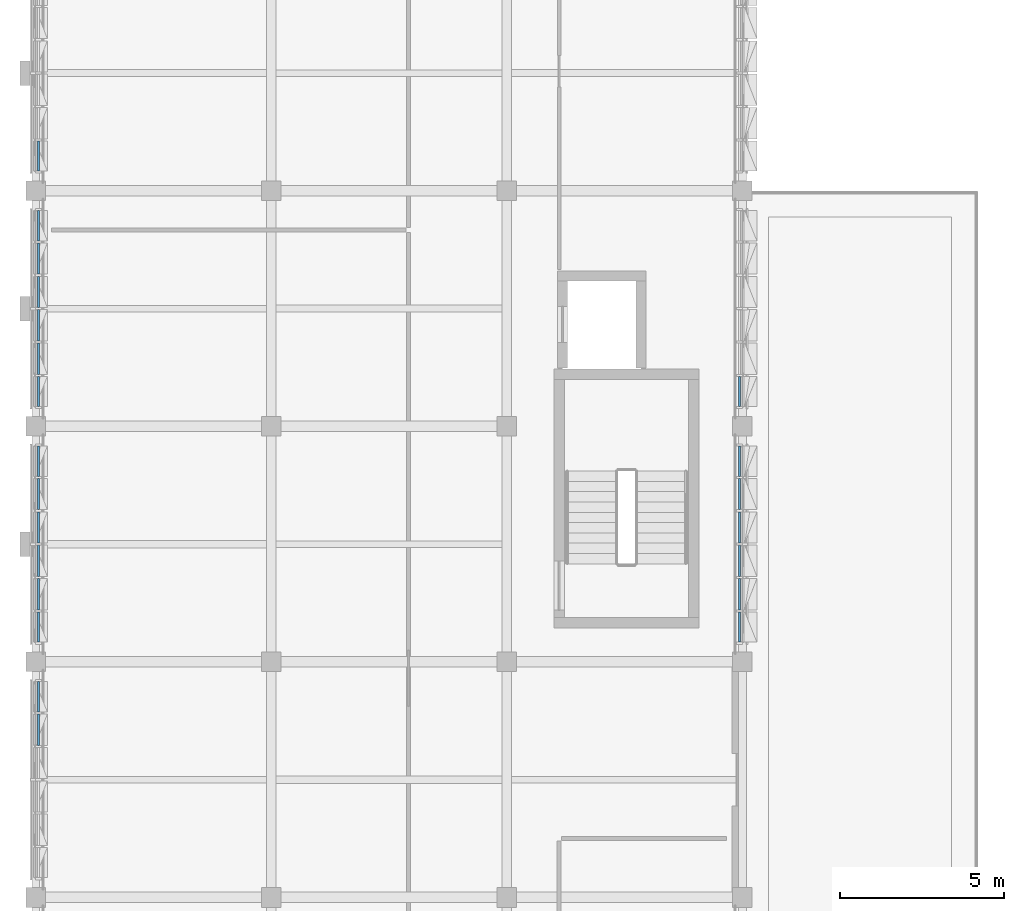
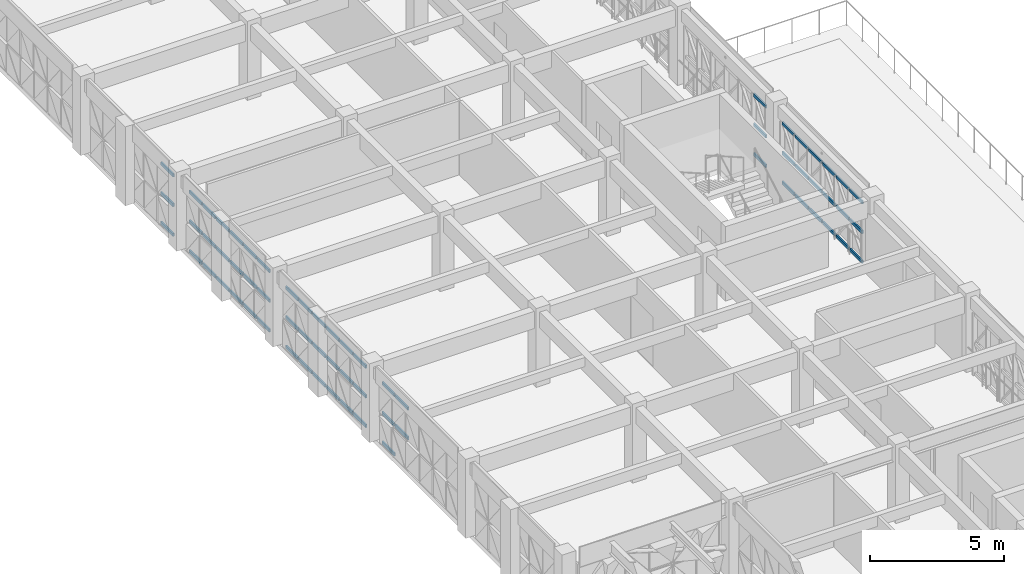
# One storey, part 28 of 99: 65 members, 6 elements without a shape of their own.
"""IFC4 building model written with IfcOpenShell, lengths in metres."""

from ifc_helpers import new_model, si_unit, direction, frame, origin, origin_2d, place, context, subcontext, project, spatial, rectangle, extrude, material, material_profile, profile_set, type_object, element, aggregate, save


model = new_model("IFC4")

# Units and contexts
model_context = context("Model", 3, precision=1e-05, world=origin(), true_north=direction((0.0, 1.0)))
body_context = subcontext(model_context, "Body", "Model", "MODEL_VIEW")
ifc_project = project(units=[si_unit("LENGTHUNIT", "METRE"), si_unit("AREAUNIT", "SQUARE_METRE"), si_unit("VOLUMEUNIT", "CUBIC_METRE"), si_unit("PLANEANGLEUNIT", "RADIAN"), si_unit("MASSUNIT", "GRAM", prefix="KILO")], contexts=[model_context])

# Site, building, storey
site_placement = place(None, origin())
site = spatial("IfcSite", under=ifc_project, at=site_placement, CompositionType="ELEMENT")
building_placement = place(site_placement, origin())
building = spatial("IfcBuilding", under=site, at=building_placement, Name="Alvorim Cloister Faculty of Sciences", CompositionType="ELEMENT")
storey_placement = place(building_placement, frame((0.0, 0.0, 12.14990234375)))
storey = spatial("IfcBuildingStorey", under=building, at=storey_placement, Name="L03", CompositionType="ELEMENT", Elevation=12.14990234375)

# Curtain wall, members
ifc_material_1 = material(Name="Aluminium and Low-E Glass Curtain Wall", Category="aluminium")
curtain_wall_type = type_object("IfcCurtainWallType", Name="CW-TRI-6120x2850", PredefinedType="USERDEFINED", material=ifc_material_1)
curtain_wall_1_placement = place(storey_placement, origin())
curtain_wall_1 = element("IfcCurtainWall", 1, at=curtain_wall_1_placement, inside=storey, type_object=curtain_wall_type, Name="L03 Diagonal Cassette Curtain Wall CW-0107", ObjectType="UNITISED CURTAIN WALL", PredefinedType="USERDEFINED")
ifc_material_2 = material(Name="Aluminium Alloy 6063-T6", Category="aluminium")
ifc_material_profile = material_profile(ifc_material_2, rectangle(XDim=0.06494140625, YDim=0.139892578125, at=origin_2d()), Name="ALU-TRN-65x140")
ifc_profile_set = profile_set([ifc_material_profile], Name="Aluminium Alloy 6063-T6")
member_type = type_object("IfcMemberType", Name="CW-TRN-65x140", PredefinedType="USERDEFINED", material=ifc_profile_set)
member_1_placement = place(storey_placement, frame((0.090087890625, 68.25244140625, 1.425048828125), z_axis=(0.0, 1.0, 0.0), x_axis=(-1.0, 0.0, 0.0)))
member_1 = element("IfcMember", 2, at=member_1_placement, type_object=member_type, Name="CW-0107 Transom 5.2", ObjectType="TRANSOM", PredefinedType="USERDEFINED", context=body_context, shape_type="SweptSolid", body=[
    extrude(rectangle(XDim=0.06494140625, YDim=0.139892578125, at=origin_2d()), origin(), (0.0, 0.0, 1.0), 0.955078125),
])
member_2_placement = place(storey_placement, frame((0.090087890625, 68.25244140625, 2.780029296875), z_axis=(0.0, 1.0, 0.0), x_axis=(-1.0, 0.0, 0.0)))
member_2 = element("IfcMember", 3, at=member_2_placement, type_object=member_type, Name="CW-0107 Transom 5.3", ObjectType="TRANSOM", PredefinedType="USERDEFINED", context=body_context, shape_type="SweptSolid", body=[
    extrude(rectangle(XDim=0.06494140625, YDim=0.139892578125, at=origin_2d()), origin(), (0.0, 0.0, 1.0), 0.955078125),
])
member_3_placement = place(storey_placement, frame((0.090087890625, 69.2724609375, 0.070068359375), z_axis=(0.0, 1.0, 0.0), x_axis=(-1.0, 0.0, 0.0)))
member_3 = element("IfcMember", 4, at=member_3_placement, type_object=member_type, Name="CW-0107 Transom 6.1", ObjectType="TRANSOM", PredefinedType="USERDEFINED", context=body_context, shape_type="SweptSolid", body=[
    extrude(rectangle(XDim=0.06494140625, YDim=0.139892578125, at=origin_2d()), origin(), (0.0, 0.0, 1.0), 0.922607421875),
])
member_4_placement = place(storey_placement, frame((0.090087890625, 69.2724609375, 1.425048828125), z_axis=(0.0, 1.0, 0.0), x_axis=(-1.0, 0.0, 0.0)))
member_4 = element("IfcMember", 5, at=member_4_placement, type_object=member_type, Name="CW-0107 Transom 6.2", ObjectType="TRANSOM", PredefinedType="USERDEFINED", context=body_context, shape_type="SweptSolid", body=[
    extrude(rectangle(XDim=0.06494140625, YDim=0.139892578125, at=origin_2d()), origin(), (0.0, 0.0, 1.0), 0.922607421875),
])
member_5_placement = place(storey_placement, frame((0.090087890625, 69.2724609375, 2.780029296875), z_axis=(0.0, 1.0, 0.0), x_axis=(-1.0, 0.0, 0.0)))
member_5 = element("IfcMember", 6, at=member_5_placement, type_object=member_type, Name="CW-0107 Transom 6.3", ObjectType="TRANSOM", PredefinedType="USERDEFINED", context=body_context, shape_type="SweptSolid", body=[
    extrude(rectangle(XDim=0.06494140625, YDim=0.139892578125, at=origin_2d()), origin(), (0.0, 0.0, 1.0), 0.922607421875),
])
aggregate(curtain_wall_1, [member_1, member_2, member_3, member_4, member_5])

curtain_wall_2_placement = place(storey_placement, origin())
curtain_wall_2 = element("IfcCurtainWall", 7, at=curtain_wall_2_placement, inside=storey, type_object=curtain_wall_type, Name="L03 Diagonal Cassette Curtain Wall CW-0108", ObjectType="UNITISED CURTAIN WALL", PredefinedType="USERDEFINED")
member_6_placement = place(storey_placement, frame((0.090087890625, 71.405029296875, 0.070068359375), z_axis=(0.0, 1.0, 0.0), x_axis=(-1.0, 0.0, 0.0)))
member_6 = element("IfcMember", 8, at=member_6_placement, type_object=member_type, Name="CW-0108 Transom 1.1", ObjectType="TRANSOM", PredefinedType="USERDEFINED", context=body_context, shape_type="SweptSolid", body=[
    extrude(rectangle(XDim=0.06494140625, YDim=0.139892578125, at=origin_2d()), origin(), (0.0, 0.0, 1.0), 0.92236328125),
])
member_7_placement = place(storey_placement, frame((0.090087890625, 71.405029296875, 1.425048828125), z_axis=(0.0, 1.0, 0.0), x_axis=(-1.0, 0.0, 0.0)))
member_7 = element("IfcMember", 9, at=member_7_placement, type_object=member_type, Name="CW-0108 Transom 1.2", ObjectType="TRANSOM", PredefinedType="USERDEFINED", context=body_context, shape_type="SweptSolid", body=[
    extrude(rectangle(XDim=0.06494140625, YDim=0.139892578125, at=origin_2d()), origin(), (0.0, 0.0, 1.0), 0.92236328125),
])
member_8_placement = place(storey_placement, frame((0.090087890625, 71.405029296875, 2.780029296875), z_axis=(0.0, 1.0, 0.0), x_axis=(-1.0, 0.0, 0.0)))
member_8 = element("IfcMember", 10, at=member_8_placement, type_object=member_type, Name="CW-0108 Transom 1.3", ObjectType="TRANSOM", PredefinedType="USERDEFINED", context=body_context, shape_type="SweptSolid", body=[
    extrude(rectangle(XDim=0.06494140625, YDim=0.139892578125, at=origin_2d()), origin(), (0.0, 0.0, 1.0), 0.92236328125),
])
member_9_placement = place(storey_placement, frame((0.090087890625, 72.392578125, 0.070068359375), z_axis=(0.0, 1.0, 0.0), x_axis=(-1.0, 0.0, 0.0)))
member_9 = element("IfcMember", 11, at=member_9_placement, type_object=member_type, Name="CW-0108 Transom 2.1", ObjectType="TRANSOM", PredefinedType="USERDEFINED", context=body_context, shape_type="SweptSolid", body=[
    extrude(rectangle(XDim=0.06494140625, YDim=0.139892578125, at=origin_2d()), origin(), (0.0, 0.0, 1.0), 0.954833984375),
])
member_10_placement = place(storey_placement, frame((0.090087890625, 72.392578125, 1.425048828125), z_axis=(0.0, 1.0, 0.0), x_axis=(-1.0, 0.0, 0.0)))
member_10 = element("IfcMember", 12, at=member_10_placement, type_object=member_type, Name="CW-0108 Transom 2.2", ObjectType="TRANSOM", PredefinedType="USERDEFINED", context=body_context, shape_type="SweptSolid", body=[
    extrude(rectangle(XDim=0.06494140625, YDim=0.139892578125, at=origin_2d()), origin(), (0.0, 0.0, 1.0), 0.954833984375),
])
member_11_placement = place(storey_placement, frame((0.090087890625, 72.392578125, 2.780029296875), z_axis=(0.0, 1.0, 0.0), x_axis=(-1.0, 0.0, 0.0)))
member_11 = element("IfcMember", 13, at=member_11_placement, type_object=member_type, Name="CW-0108 Transom 2.3", ObjectType="TRANSOM", PredefinedType="USERDEFINED", context=body_context, shape_type="SweptSolid", body=[
    extrude(rectangle(XDim=0.06494140625, YDim=0.139892578125, at=origin_2d()), origin(), (0.0, 0.0, 1.0), 0.954833984375),
])
member_12_placement = place(storey_placement, frame((0.090087890625, 73.41259765625, 0.070068359375), z_axis=(0.0, 1.0, 0.0), x_axis=(-1.0, 0.0, 0.0)))
member_12 = element("IfcMember", 14, at=member_12_placement, type_object=member_type, Name="CW-0108 Transom 3.1", ObjectType="TRANSOM", PredefinedType="USERDEFINED", context=body_context, shape_type="SweptSolid", body=[
    extrude(rectangle(XDim=0.06494140625, YDim=0.139892578125, at=origin_2d()), origin(), (0.0, 0.0, 1.0), 0.954833984375),
])
member_13_placement = place(storey_placement, frame((0.090087890625, 73.41259765625, 1.425048828125), z_axis=(0.0, 1.0, 0.0), x_axis=(-1.0, 0.0, 0.0)))
member_13 = element("IfcMember", 15, at=member_13_placement, type_object=member_type, Name="CW-0108 Transom 3.2", ObjectType="TRANSOM", PredefinedType="USERDEFINED", context=body_context, shape_type="SweptSolid", body=[
    extrude(rectangle(XDim=0.06494140625, YDim=0.139892578125, at=origin_2d()), origin(), (0.0, 0.0, 1.0), 0.954833984375),
])
member_14_placement = place(storey_placement, frame((0.090087890625, 73.41259765625, 2.780029296875), z_axis=(0.0, 1.0, 0.0), x_axis=(-1.0, 0.0, 0.0)))
member_14 = element("IfcMember", 16, at=member_14_placement, type_object=member_type, Name="CW-0108 Transom 3.3", ObjectType="TRANSOM", PredefinedType="USERDEFINED", context=body_context, shape_type="SweptSolid", body=[
    extrude(rectangle(XDim=0.06494140625, YDim=0.139892578125, at=origin_2d()), origin(), (0.0, 0.0, 1.0), 0.954833984375),
])
member_15_placement = place(storey_placement, frame((0.090087890625, 74.4326171875, 0.070068359375), z_axis=(0.0, 1.0, 0.0), x_axis=(-1.0, 0.0, 0.0)))
member_15 = element("IfcMember", 17, at=member_15_placement, type_object=member_type, Name="CW-0108 Transom 4.1", ObjectType="TRANSOM", PredefinedType="USERDEFINED", context=body_context, shape_type="SweptSolid", body=[
    extrude(rectangle(XDim=0.06494140625, YDim=0.139892578125, at=origin_2d()), origin(), (0.0, 0.0, 1.0), 0.954833984375),
])
member_16_placement = place(storey_placement, frame((0.090087890625, 74.4326171875, 1.425048828125), z_axis=(0.0, 1.0, 0.0), x_axis=(-1.0, 0.0, 0.0)))
member_16 = element("IfcMember", 18, at=member_16_placement, type_object=member_type, Name="CW-0108 Transom 4.2", ObjectType="TRANSOM", PredefinedType="USERDEFINED", context=body_context, shape_type="SweptSolid", body=[
    extrude(rectangle(XDim=0.06494140625, YDim=0.139892578125, at=origin_2d()), origin(), (0.0, 0.0, 1.0), 0.954833984375),
])
member_17_placement = place(storey_placement, frame((0.090087890625, 74.4326171875, 2.780029296875), z_axis=(0.0, 1.0, 0.0), x_axis=(-1.0, 0.0, 0.0)))
member_17 = element("IfcMember", 19, at=member_17_placement, type_object=member_type, Name="CW-0108 Transom 4.3", ObjectType="TRANSOM", PredefinedType="USERDEFINED", context=body_context, shape_type="SweptSolid", body=[
    extrude(rectangle(XDim=0.06494140625, YDim=0.139892578125, at=origin_2d()), origin(), (0.0, 0.0, 1.0), 0.954833984375),
])
member_18_placement = place(storey_placement, frame((0.090087890625, 75.452392578125, 0.070068359375), z_axis=(0.0, 1.0, 0.0), x_axis=(-1.0, 0.0, 0.0)))
member_18 = element("IfcMember", 20, at=member_18_placement, type_object=member_type, Name="CW-0108 Transom 5.1", ObjectType="TRANSOM", PredefinedType="USERDEFINED", context=body_context, shape_type="SweptSolid", body=[
    extrude(rectangle(XDim=0.06494140625, YDim=0.139892578125, at=origin_2d()), origin(), (0.0, 0.0, 1.0), 0.955078125),
])
member_19_placement = place(storey_placement, frame((0.090087890625, 75.452392578125, 1.425048828125), z_axis=(0.0, 1.0, 0.0), x_axis=(-1.0, 0.0, 0.0)))
member_19 = element("IfcMember", 21, at=member_19_placement, type_object=member_type, Name="CW-0108 Transom 5.2", ObjectType="TRANSOM", PredefinedType="USERDEFINED", context=body_context, shape_type="SweptSolid", body=[
    extrude(rectangle(XDim=0.06494140625, YDim=0.139892578125, at=origin_2d()), origin(), (0.0, 0.0, 1.0), 0.955078125),
])
member_20_placement = place(storey_placement, frame((0.090087890625, 75.452392578125, 2.780029296875), z_axis=(0.0, 1.0, 0.0), x_axis=(-1.0, 0.0, 0.0)))
member_20 = element("IfcMember", 22, at=member_20_placement, type_object=member_type, Name="CW-0108 Transom 5.3", ObjectType="TRANSOM", PredefinedType="USERDEFINED", context=body_context, shape_type="SweptSolid", body=[
    extrude(rectangle(XDim=0.06494140625, YDim=0.139892578125, at=origin_2d()), origin(), (0.0, 0.0, 1.0), 0.955078125),
])
member_21_placement = place(storey_placement, frame((0.090087890625, 76.472412109375, 0.070068359375), z_axis=(0.0, 1.0, 0.0), x_axis=(-1.0, 0.0, 0.0)))
member_21 = element("IfcMember", 23, at=member_21_placement, type_object=member_type, Name="CW-0108 Transom 6.1", ObjectType="TRANSOM", PredefinedType="USERDEFINED", context=body_context, shape_type="SweptSolid", body=[
    extrude(rectangle(XDim=0.06494140625, YDim=0.139892578125, at=origin_2d()), origin(), (0.0, 0.0, 1.0), 0.922607421875),
])
member_22_placement = place(storey_placement, frame((0.090087890625, 76.472412109375, 1.425048828125), z_axis=(0.0, 1.0, 0.0), x_axis=(-1.0, 0.0, 0.0)))
member_22 = element("IfcMember", 24, at=member_22_placement, type_object=member_type, Name="CW-0108 Transom 6.2", ObjectType="TRANSOM", PredefinedType="USERDEFINED", context=body_context, shape_type="SweptSolid", body=[
    extrude(rectangle(XDim=0.06494140625, YDim=0.139892578125, at=origin_2d()), origin(), (0.0, 0.0, 1.0), 0.922607421875),
])
member_23_placement = place(storey_placement, frame((0.090087890625, 76.472412109375, 2.780029296875), z_axis=(0.0, 1.0, 0.0), x_axis=(-1.0, 0.0, 0.0)))
member_23 = element("IfcMember", 25, at=member_23_placement, type_object=member_type, Name="CW-0108 Transom 6.3", ObjectType="TRANSOM", PredefinedType="USERDEFINED", context=body_context, shape_type="SweptSolid", body=[
    extrude(rectangle(XDim=0.06494140625, YDim=0.139892578125, at=origin_2d()), origin(), (0.0, 0.0, 1.0), 0.922607421875),
])
aggregate(curtain_wall_2, [member_6, member_7, member_8, member_9, member_10, member_11, member_12, member_13, member_14, member_15, member_16, member_17, member_18, member_19, member_20, member_21, member_22, member_23])

curtain_wall_3_placement = place(storey_placement, origin())
curtain_wall_3 = element("IfcCurtainWall", 26, at=curtain_wall_3_placement, inside=storey, type_object=curtain_wall_type, Name="L03 Diagonal Cassette Curtain Wall CW-0109", ObjectType="UNITISED CURTAIN WALL", PredefinedType="USERDEFINED")
member_24_placement = place(storey_placement, frame((0.090087890625, 78.60498046875, 0.070068359375), z_axis=(0.0, 1.0, 0.0), x_axis=(-1.0, 0.0, 0.0)))
member_24 = element("IfcMember", 27, at=member_24_placement, type_object=member_type, Name="CW-0109 Transom 1.1", ObjectType="TRANSOM", PredefinedType="USERDEFINED", context=body_context, shape_type="SweptSolid", body=[
    extrude(rectangle(XDim=0.06494140625, YDim=0.139892578125, at=origin_2d()), origin(), (0.0, 0.0, 1.0), 0.922607421875),
])
member_25_placement = place(storey_placement, frame((0.090087890625, 78.60498046875, 1.425048828125), z_axis=(0.0, 1.0, 0.0), x_axis=(-1.0, 0.0, 0.0)))
member_25 = element("IfcMember", 28, at=member_25_placement, type_object=member_type, Name="CW-0109 Transom 1.2", ObjectType="TRANSOM", PredefinedType="USERDEFINED", context=body_context, shape_type="SweptSolid", body=[
    extrude(rectangle(XDim=0.06494140625, YDim=0.139892578125, at=origin_2d()), origin(), (0.0, 0.0, 1.0), 0.922607421875),
])
member_26_placement = place(storey_placement, frame((0.090087890625, 78.60498046875, 2.780029296875), z_axis=(0.0, 1.0, 0.0), x_axis=(-1.0, 0.0, 0.0)))
member_26 = element("IfcMember", 29, at=member_26_placement, type_object=member_type, Name="CW-0109 Transom 1.3", ObjectType="TRANSOM", PredefinedType="USERDEFINED", context=body_context, shape_type="SweptSolid", body=[
    extrude(rectangle(XDim=0.06494140625, YDim=0.139892578125, at=origin_2d()), origin(), (0.0, 0.0, 1.0), 0.922607421875),
])
member_27_placement = place(storey_placement, frame((0.090087890625, 79.592529296875, 0.070068359375), z_axis=(0.0, 1.0, 0.0), x_axis=(-1.0, 0.0, 0.0)))
member_27 = element("IfcMember", 30, at=member_27_placement, type_object=member_type, Name="CW-0109 Transom 2.1", ObjectType="TRANSOM", PredefinedType="USERDEFINED", context=body_context, shape_type="SweptSolid", body=[
    extrude(rectangle(XDim=0.06494140625, YDim=0.139892578125, at=origin_2d()), origin(), (0.0, 0.0, 1.0), 0.955078125),
])
member_28_placement = place(storey_placement, frame((0.090087890625, 79.592529296875, 1.425048828125), z_axis=(0.0, 1.0, 0.0), x_axis=(-1.0, 0.0, 0.0)))
member_28 = element("IfcMember", 31, at=member_28_placement, type_object=member_type, Name="CW-0109 Transom 2.2", ObjectType="TRANSOM", PredefinedType="USERDEFINED", context=body_context, shape_type="SweptSolid", body=[
    extrude(rectangle(XDim=0.06494140625, YDim=0.139892578125, at=origin_2d()), origin(), (0.0, 0.0, 1.0), 0.955078125),
])
member_29_placement = place(storey_placement, frame((0.090087890625, 79.592529296875, 2.780029296875), z_axis=(0.0, 1.0, 0.0), x_axis=(-1.0, 0.0, 0.0)))
member_29 = element("IfcMember", 32, at=member_29_placement, type_object=member_type, Name="CW-0109 Transom 2.3", ObjectType="TRANSOM", PredefinedType="USERDEFINED", context=body_context, shape_type="SweptSolid", body=[
    extrude(rectangle(XDim=0.06494140625, YDim=0.139892578125, at=origin_2d()), origin(), (0.0, 0.0, 1.0), 0.955078125),
])
member_30_placement = place(storey_placement, frame((0.090087890625, 80.612548828125, 0.070068359375), z_axis=(0.0, 1.0, 0.0), x_axis=(-1.0, 0.0, 0.0)))
member_30 = element("IfcMember", 33, at=member_30_placement, type_object=member_type, Name="CW-0109 Transom 3.1", ObjectType="TRANSOM", PredefinedType="USERDEFINED", context=body_context, shape_type="SweptSolid", body=[
    extrude(rectangle(XDim=0.06494140625, YDim=0.139892578125, at=origin_2d()), origin(), (0.0, 0.0, 1.0), 0.954833984375),
])
member_31_placement = place(storey_placement, frame((0.090087890625, 80.612548828125, 1.425048828125), z_axis=(0.0, 1.0, 0.0), x_axis=(-1.0, 0.0, 0.0)))
member_31 = element("IfcMember", 34, at=member_31_placement, type_object=member_type, Name="CW-0109 Transom 3.2", ObjectType="TRANSOM", PredefinedType="USERDEFINED", context=body_context, shape_type="SweptSolid", body=[
    extrude(rectangle(XDim=0.06494140625, YDim=0.139892578125, at=origin_2d()), origin(), (0.0, 0.0, 1.0), 0.954833984375),
])
member_32_placement = place(storey_placement, frame((0.090087890625, 80.612548828125, 2.780029296875), z_axis=(0.0, 1.0, 0.0), x_axis=(-1.0, 0.0, 0.0)))
member_32 = element("IfcMember", 35, at=member_32_placement, type_object=member_type, Name="CW-0109 Transom 3.3", ObjectType="TRANSOM", PredefinedType="USERDEFINED", context=body_context, shape_type="SweptSolid", body=[
    extrude(rectangle(XDim=0.06494140625, YDim=0.139892578125, at=origin_2d()), origin(), (0.0, 0.0, 1.0), 0.954833984375),
])
member_33_placement = place(storey_placement, frame((0.090087890625, 81.632568359375, 0.070068359375), z_axis=(0.0, 1.0, 0.0), x_axis=(-1.0, 0.0, 0.0)))
member_33 = element("IfcMember", 36, at=member_33_placement, type_object=member_type, Name="CW-0109 Transom 4.1", ObjectType="TRANSOM", PredefinedType="USERDEFINED", context=body_context, shape_type="SweptSolid", body=[
    extrude(rectangle(XDim=0.06494140625, YDim=0.139892578125, at=origin_2d()), origin(), (0.0, 0.0, 1.0), 0.954833984375),
])
member_34_placement = place(storey_placement, frame((0.090087890625, 81.632568359375, 1.425048828125), z_axis=(0.0, 1.0, 0.0), x_axis=(-1.0, 0.0, 0.0)))
member_34 = element("IfcMember", 37, at=member_34_placement, type_object=member_type, Name="CW-0109 Transom 4.2", ObjectType="TRANSOM", PredefinedType="USERDEFINED", context=body_context, shape_type="SweptSolid", body=[
    extrude(rectangle(XDim=0.06494140625, YDim=0.139892578125, at=origin_2d()), origin(), (0.0, 0.0, 1.0), 0.954833984375),
])
member_35_placement = place(storey_placement, frame((0.090087890625, 81.632568359375, 2.780029296875), z_axis=(0.0, 1.0, 0.0), x_axis=(-1.0, 0.0, 0.0)))
member_35 = element("IfcMember", 38, at=member_35_placement, type_object=member_type, Name="CW-0109 Transom 4.3", ObjectType="TRANSOM", PredefinedType="USERDEFINED", context=body_context, shape_type="SweptSolid", body=[
    extrude(rectangle(XDim=0.06494140625, YDim=0.139892578125, at=origin_2d()), origin(), (0.0, 0.0, 1.0), 0.954833984375),
])
member_36_placement = place(storey_placement, frame((0.090087890625, 82.652587890625, 0.070068359375), z_axis=(0.0, 1.0, 0.0), x_axis=(-1.0, 0.0, 0.0)))
member_36 = element("IfcMember", 39, at=member_36_placement, type_object=member_type, Name="CW-0109 Transom 5.1", ObjectType="TRANSOM", PredefinedType="USERDEFINED", context=body_context, shape_type="SweptSolid", body=[
    extrude(rectangle(XDim=0.06494140625, YDim=0.139892578125, at=origin_2d()), origin(), (0.0, 0.0, 1.0), 0.954833984375),
])
member_37_placement = place(storey_placement, frame((0.090087890625, 82.652587890625, 1.425048828125), z_axis=(0.0, 1.0, 0.0), x_axis=(-1.0, 0.0, 0.0)))
member_37 = element("IfcMember", 40, at=member_37_placement, type_object=member_type, Name="CW-0109 Transom 5.2", ObjectType="TRANSOM", PredefinedType="USERDEFINED", context=body_context, shape_type="SweptSolid", body=[
    extrude(rectangle(XDim=0.06494140625, YDim=0.139892578125, at=origin_2d()), origin(), (0.0, 0.0, 1.0), 0.954833984375),
])
member_38_placement = place(storey_placement, frame((0.090087890625, 82.652587890625, 2.780029296875), z_axis=(0.0, 1.0, 0.0), x_axis=(-1.0, 0.0, 0.0)))
member_38 = element("IfcMember", 41, at=member_38_placement, type_object=member_type, Name="CW-0109 Transom 5.3", ObjectType="TRANSOM", PredefinedType="USERDEFINED", context=body_context, shape_type="SweptSolid", body=[
    extrude(rectangle(XDim=0.06494140625, YDim=0.139892578125, at=origin_2d()), origin(), (0.0, 0.0, 1.0), 0.954833984375),
])
member_39_placement = place(storey_placement, frame((0.090087890625, 83.672607421875, 0.070068359375), z_axis=(0.0, 1.0, 0.0), x_axis=(-1.0, 0.0, 0.0)))
member_39 = element("IfcMember", 42, at=member_39_placement, type_object=member_type, Name="CW-0109 Transom 6.1", ObjectType="TRANSOM", PredefinedType="USERDEFINED", context=body_context, shape_type="SweptSolid", body=[
    extrude(rectangle(XDim=0.06494140625, YDim=0.139892578125, at=origin_2d()), origin(), (0.0, 0.0, 1.0), 0.92236328125),
])
member_40_placement = place(storey_placement, frame((0.090087890625, 83.672607421875, 1.425048828125), z_axis=(0.0, 1.0, 0.0), x_axis=(-1.0, 0.0, 0.0)))
member_40 = element("IfcMember", 43, at=member_40_placement, type_object=member_type, Name="CW-0109 Transom 6.2", ObjectType="TRANSOM", PredefinedType="USERDEFINED", context=body_context, shape_type="SweptSolid", body=[
    extrude(rectangle(XDim=0.06494140625, YDim=0.139892578125, at=origin_2d()), origin(), (0.0, 0.0, 1.0), 0.92236328125),
])
member_41_placement = place(storey_placement, frame((0.090087890625, 83.672607421875, 2.780029296875), z_axis=(0.0, 1.0, 0.0), x_axis=(-1.0, 0.0, 0.0)))
member_41 = element("IfcMember", 44, at=member_41_placement, type_object=member_type, Name="CW-0109 Transom 6.3", ObjectType="TRANSOM", PredefinedType="USERDEFINED", context=body_context, shape_type="SweptSolid", body=[
    extrude(rectangle(XDim=0.06494140625, YDim=0.139892578125, at=origin_2d()), origin(), (0.0, 0.0, 1.0), 0.92236328125),
])
aggregate(curtain_wall_3, [member_24, member_25, member_26, member_27, member_28, member_29, member_30, member_31, member_32, member_33, member_34, member_35, member_36, member_37, member_38, member_39, member_40, member_41])

curtain_wall_4_placement = place(storey_placement, origin())
curtain_wall_4 = element("IfcCurtainWall", 45, at=curtain_wall_4_placement, inside=storey, type_object=curtain_wall_type, Name="L03 Diagonal Cassette Curtain Wall CW-0110", ObjectType="UNITISED CURTAIN WALL", PredefinedType="USERDEFINED")
member_42_placement = place(storey_placement, frame((0.090087890625, 85.804931640625, 0.070068359375), z_axis=(0.0, 1.0, 0.0), x_axis=(-1.0, 0.0, 0.0)))
member_42 = element("IfcMember", 46, at=member_42_placement, type_object=member_type, Name="CW-0110 Transom 1.1", ObjectType="TRANSOM", PredefinedType="USERDEFINED", context=body_context, shape_type="SweptSolid", body=[
    extrude(rectangle(XDim=0.06494140625, YDim=0.139892578125, at=origin_2d()), origin(), (0.0, 0.0, 1.0), 0.922607421875),
])
member_43_placement = place(storey_placement, frame((0.090087890625, 85.804931640625, 1.425048828125), z_axis=(0.0, 1.0, 0.0), x_axis=(-1.0, 0.0, 0.0)))
member_43 = element("IfcMember", 47, at=member_43_placement, type_object=member_type, Name="CW-0110 Transom 1.2", ObjectType="TRANSOM", PredefinedType="USERDEFINED", context=body_context, shape_type="SweptSolid", body=[
    extrude(rectangle(XDim=0.06494140625, YDim=0.139892578125, at=origin_2d()), origin(), (0.0, 0.0, 1.0), 0.922607421875),
])
member_44_placement = place(storey_placement, frame((0.090087890625, 85.804931640625, 2.780029296875), z_axis=(0.0, 1.0, 0.0), x_axis=(-1.0, 0.0, 0.0)))
member_44 = element("IfcMember", 48, at=member_44_placement, type_object=member_type, Name="CW-0110 Transom 1.3", ObjectType="TRANSOM", PredefinedType="USERDEFINED", context=body_context, shape_type="SweptSolid", body=[
    extrude(rectangle(XDim=0.06494140625, YDim=0.139892578125, at=origin_2d()), origin(), (0.0, 0.0, 1.0), 0.922607421875),
])
aggregate(curtain_wall_4, [member_42, member_43, member_44])

curtain_wall_5_placement = place(storey_placement, origin())
curtain_wall_5 = element("IfcCurtainWall", 49, at=curtain_wall_5_placement, inside=storey, type_object=curtain_wall_type, Name="L03 Diagonal Cassette Curtain Wall CW-0121", ObjectType="UNITISED CURTAIN WALL", PredefinedType="USERDEFINED")
member_45_placement = place(storey_placement, frame((21.510009765625, 78.60498046875, 0.070068359375), z_axis=(0.0, 1.0, 0.0), x_axis=(-1.0, 0.0, 0.0)))
member_45 = element("IfcMember", 50, at=member_45_placement, type_object=member_type, Name="CW-0121 Transom 1.1", ObjectType="TRANSOM", PredefinedType="USERDEFINED", context=body_context, shape_type="SweptSolid", body=[
    extrude(rectangle(XDim=0.06494140625, YDim=0.139892578125, at=origin_2d()), origin(), (0.0, 0.0, 1.0), 0.922607421875),
])
member_46_placement = place(storey_placement, frame((21.510009765625, 78.60498046875, 1.425048828125), z_axis=(0.0, 1.0, 0.0), x_axis=(-1.0, 0.0, 0.0)))
member_46 = element("IfcMember", 51, at=member_46_placement, type_object=member_type, Name="CW-0121 Transom 1.2", ObjectType="TRANSOM", PredefinedType="USERDEFINED", context=body_context, shape_type="SweptSolid", body=[
    extrude(rectangle(XDim=0.06494140625, YDim=0.139892578125, at=origin_2d()), origin(), (0.0, 0.0, 1.0), 0.922607421875),
])
member_47_placement = place(storey_placement, frame((21.510009765625, 78.60498046875, 2.780029296875), z_axis=(0.0, 1.0, 0.0), x_axis=(-1.0, 0.0, 0.0)))
member_47 = element("IfcMember", 52, at=member_47_placement, type_object=member_type, Name="CW-0121 Transom 1.3", ObjectType="TRANSOM", PredefinedType="USERDEFINED", context=body_context, shape_type="SweptSolid", body=[
    extrude(rectangle(XDim=0.06494140625, YDim=0.139892578125, at=origin_2d()), origin(), (0.0, 0.0, 1.0), 0.922607421875),
])
aggregate(curtain_wall_5, [member_45, member_46, member_47])

curtain_wall_6_placement = place(storey_placement, origin())
curtain_wall_6 = element("IfcCurtainWall", 53, at=curtain_wall_6_placement, inside=storey, type_object=curtain_wall_type, Name="L03 Diagonal Cassette Curtain Wall CW-0122", ObjectType="UNITISED CURTAIN WALL", PredefinedType="USERDEFINED")
member_48_placement = place(storey_placement, frame((21.510009765625, 71.405029296875, 0.070068359375), z_axis=(0.0, 1.0, 0.0), x_axis=(-1.0, 0.0, 0.0)))
member_48 = element("IfcMember", 54, at=member_48_placement, type_object=member_type, Name="CW-0122 Transom 1.1", ObjectType="TRANSOM", PredefinedType="USERDEFINED", context=body_context, shape_type="SweptSolid", body=[
    extrude(rectangle(XDim=0.06494140625, YDim=0.139892578125, at=origin_2d()), origin(), (0.0, 0.0, 1.0), 0.92236328125),
])
member_49_placement = place(storey_placement, frame((21.510009765625, 71.405029296875, 1.425048828125), z_axis=(0.0, 1.0, 0.0), x_axis=(-1.0, 0.0, 0.0)))
member_49 = element("IfcMember", 55, at=member_49_placement, type_object=member_type, Name="CW-0122 Transom 1.2", ObjectType="TRANSOM", PredefinedType="USERDEFINED", context=body_context, shape_type="SweptSolid", body=[
    extrude(rectangle(XDim=0.06494140625, YDim=0.139892578125, at=origin_2d()), origin(), (0.0, 0.0, 1.0), 0.92236328125),
])
member_50_placement = place(storey_placement, frame((21.510009765625, 71.405029296875, 2.780029296875), z_axis=(0.0, 1.0, 0.0), x_axis=(-1.0, 0.0, 0.0)))
member_50 = element("IfcMember", 56, at=member_50_placement, type_object=member_type, Name="CW-0122 Transom 1.3", ObjectType="TRANSOM", PredefinedType="USERDEFINED", context=body_context, shape_type="SweptSolid", body=[
    extrude(rectangle(XDim=0.06494140625, YDim=0.139892578125, at=origin_2d()), origin(), (0.0, 0.0, 1.0), 0.92236328125),
])
member_51_placement = place(storey_placement, frame((21.510009765625, 72.392578125, 0.070068359375), z_axis=(0.0, 1.0, 0.0), x_axis=(-1.0, 0.0, 0.0)))
member_51 = element("IfcMember", 57, at=member_51_placement, type_object=member_type, Name="CW-0122 Transom 2.1", ObjectType="TRANSOM", PredefinedType="USERDEFINED", context=body_context, shape_type="SweptSolid", body=[
    extrude(rectangle(XDim=0.06494140625, YDim=0.139892578125, at=origin_2d()), origin(), (0.0, 0.0, 1.0), 0.954833984375),
])
member_52_placement = place(storey_placement, frame((21.510009765625, 72.392578125, 1.425048828125), z_axis=(0.0, 1.0, 0.0), x_axis=(-1.0, 0.0, 0.0)))
member_52 = element("IfcMember", 58, at=member_52_placement, type_object=member_type, Name="CW-0122 Transom 2.2", ObjectType="TRANSOM", PredefinedType="USERDEFINED", context=body_context, shape_type="SweptSolid", body=[
    extrude(rectangle(XDim=0.06494140625, YDim=0.139892578125, at=origin_2d()), origin(), (0.0, 0.0, 1.0), 0.954833984375),
])
member_53_placement = place(storey_placement, frame((21.510009765625, 72.392578125, 2.780029296875), z_axis=(0.0, 1.0, 0.0), x_axis=(-1.0, 0.0, 0.0)))
member_53 = element("IfcMember", 59, at=member_53_placement, type_object=member_type, Name="CW-0122 Transom 2.3", ObjectType="TRANSOM", PredefinedType="USERDEFINED", context=body_context, shape_type="SweptSolid", body=[
    extrude(rectangle(XDim=0.06494140625, YDim=0.139892578125, at=origin_2d()), origin(), (0.0, 0.0, 1.0), 0.954833984375),
])
member_54_placement = place(storey_placement, frame((21.510009765625, 73.41259765625, 0.070068359375), z_axis=(0.0, 1.0, 0.0), x_axis=(-1.0, 0.0, 0.0)))
member_54 = element("IfcMember", 60, at=member_54_placement, type_object=member_type, Name="CW-0122 Transom 3.1", ObjectType="TRANSOM", PredefinedType="USERDEFINED", context=body_context, shape_type="SweptSolid", body=[
    extrude(rectangle(XDim=0.06494140625, YDim=0.139892578125, at=origin_2d()), origin(), (0.0, 0.0, 1.0), 0.954833984375),
])
member_55_placement = place(storey_placement, frame((21.510009765625, 73.41259765625, 1.425048828125), z_axis=(0.0, 1.0, 0.0), x_axis=(-1.0, 0.0, 0.0)))
member_55 = element("IfcMember", 61, at=member_55_placement, type_object=member_type, Name="CW-0122 Transom 3.2", ObjectType="TRANSOM", PredefinedType="USERDEFINED", context=body_context, shape_type="SweptSolid", body=[
    extrude(rectangle(XDim=0.06494140625, YDim=0.139892578125, at=origin_2d()), origin(), (0.0, 0.0, 1.0), 0.954833984375),
])
member_56_placement = place(storey_placement, frame((21.510009765625, 73.41259765625, 2.780029296875), z_axis=(0.0, 1.0, 0.0), x_axis=(-1.0, 0.0, 0.0)))
member_56 = element("IfcMember", 62, at=member_56_placement, type_object=member_type, Name="CW-0122 Transom 3.3", ObjectType="TRANSOM", PredefinedType="USERDEFINED", context=body_context, shape_type="SweptSolid", body=[
    extrude(rectangle(XDim=0.06494140625, YDim=0.139892578125, at=origin_2d()), origin(), (0.0, 0.0, 1.0), 0.954833984375),
])
member_57_placement = place(storey_placement, frame((21.510009765625, 74.4326171875, 0.070068359375), z_axis=(0.0, 1.0, 0.0), x_axis=(-1.0, 0.0, 0.0)))
member_57 = element("IfcMember", 63, at=member_57_placement, type_object=member_type, Name="CW-0122 Transom 4.1", ObjectType="TRANSOM", PredefinedType="USERDEFINED", context=body_context, shape_type="SweptSolid", body=[
    extrude(rectangle(XDim=0.06494140625, YDim=0.139892578125, at=origin_2d()), origin(), (0.0, 0.0, 1.0), 0.954833984375),
])
member_58_placement = place(storey_placement, frame((21.510009765625, 74.4326171875, 1.425048828125), z_axis=(0.0, 1.0, 0.0), x_axis=(-1.0, 0.0, 0.0)))
member_58 = element("IfcMember", 64, at=member_58_placement, type_object=member_type, Name="CW-0122 Transom 4.2", ObjectType="TRANSOM", PredefinedType="USERDEFINED", context=body_context, shape_type="SweptSolid", body=[
    extrude(rectangle(XDim=0.06494140625, YDim=0.139892578125, at=origin_2d()), origin(), (0.0, 0.0, 1.0), 0.954833984375),
])
member_59_placement = place(storey_placement, frame((21.510009765625, 74.4326171875, 2.780029296875), z_axis=(0.0, 1.0, 0.0), x_axis=(-1.0, 0.0, 0.0)))
member_59 = element("IfcMember", 65, at=member_59_placement, type_object=member_type, Name="CW-0122 Transom 4.3", ObjectType="TRANSOM", PredefinedType="USERDEFINED", context=body_context, shape_type="SweptSolid", body=[
    extrude(rectangle(XDim=0.06494140625, YDim=0.139892578125, at=origin_2d()), origin(), (0.0, 0.0, 1.0), 0.954833984375),
])
member_60_placement = place(storey_placement, frame((21.510009765625, 75.452392578125, 0.070068359375), z_axis=(0.0, 1.0, 0.0), x_axis=(-1.0, 0.0, 0.0)))
member_60 = element("IfcMember", 66, at=member_60_placement, type_object=member_type, Name="CW-0122 Transom 5.1", ObjectType="TRANSOM", PredefinedType="USERDEFINED", context=body_context, shape_type="SweptSolid", body=[
    extrude(rectangle(XDim=0.06494140625, YDim=0.139892578125, at=origin_2d()), origin(), (0.0, 0.0, 1.0), 0.955078125),
])
member_61_placement = place(storey_placement, frame((21.510009765625, 75.452392578125, 1.425048828125), z_axis=(0.0, 1.0, 0.0), x_axis=(-1.0, 0.0, 0.0)))
member_61 = element("IfcMember", 67, at=member_61_placement, type_object=member_type, Name="CW-0122 Transom 5.2", ObjectType="TRANSOM", PredefinedType="USERDEFINED", context=body_context, shape_type="SweptSolid", body=[
    extrude(rectangle(XDim=0.06494140625, YDim=0.139892578125, at=origin_2d()), origin(), (0.0, 0.0, 1.0), 0.955078125),
])
member_62_placement = place(storey_placement, frame((21.510009765625, 75.452392578125, 2.780029296875), z_axis=(0.0, 1.0, 0.0), x_axis=(-1.0, 0.0, 0.0)))
member_62 = element("IfcMember", 68, at=member_62_placement, type_object=member_type, Name="CW-0122 Transom 5.3", ObjectType="TRANSOM", PredefinedType="USERDEFINED", context=body_context, shape_type="SweptSolid", body=[
    extrude(rectangle(XDim=0.06494140625, YDim=0.139892578125, at=origin_2d()), origin(), (0.0, 0.0, 1.0), 0.955078125),
])
member_63_placement = place(storey_placement, frame((21.510009765625, 76.472412109375, 0.070068359375), z_axis=(0.0, 1.0, 0.0), x_axis=(-1.0, 0.0, 0.0)))
member_63 = element("IfcMember", 69, at=member_63_placement, type_object=member_type, Name="CW-0122 Transom 6.1", ObjectType="TRANSOM", PredefinedType="USERDEFINED", context=body_context, shape_type="SweptSolid", body=[
    extrude(rectangle(XDim=0.06494140625, YDim=0.139892578125, at=origin_2d()), origin(), (0.0, 0.0, 1.0), 0.922607421875),
])
member_64_placement = place(storey_placement, frame((21.510009765625, 76.472412109375, 1.425048828125), z_axis=(0.0, 1.0, 0.0), x_axis=(-1.0, 0.0, 0.0)))
member_64 = element("IfcMember", 70, at=member_64_placement, type_object=member_type, Name="CW-0122 Transom 6.2", ObjectType="TRANSOM", PredefinedType="USERDEFINED", context=body_context, shape_type="SweptSolid", body=[
    extrude(rectangle(XDim=0.06494140625, YDim=0.139892578125, at=origin_2d()), origin(), (0.0, 0.0, 1.0), 0.922607421875),
])
member_65_placement = place(storey_placement, frame((21.510009765625, 76.472412109375, 2.780029296875), z_axis=(0.0, 1.0, 0.0), x_axis=(-1.0, 0.0, 0.0)))
member_65 = element("IfcMember", 71, at=member_65_placement, type_object=member_type, Name="CW-0122 Transom 6.3", ObjectType="TRANSOM", PredefinedType="USERDEFINED", context=body_context, shape_type="SweptSolid", body=[
    extrude(rectangle(XDim=0.06494140625, YDim=0.139892578125, at=origin_2d()), origin(), (0.0, 0.0, 1.0), 0.922607421875),
])
aggregate(curtain_wall_6, [member_48, member_49, member_50, member_51, member_52, member_53, member_54, member_55, member_56, member_57, member_58, member_59, member_60, member_61, member_62, member_63, member_64, member_65])

save(model, "model.ifc")
